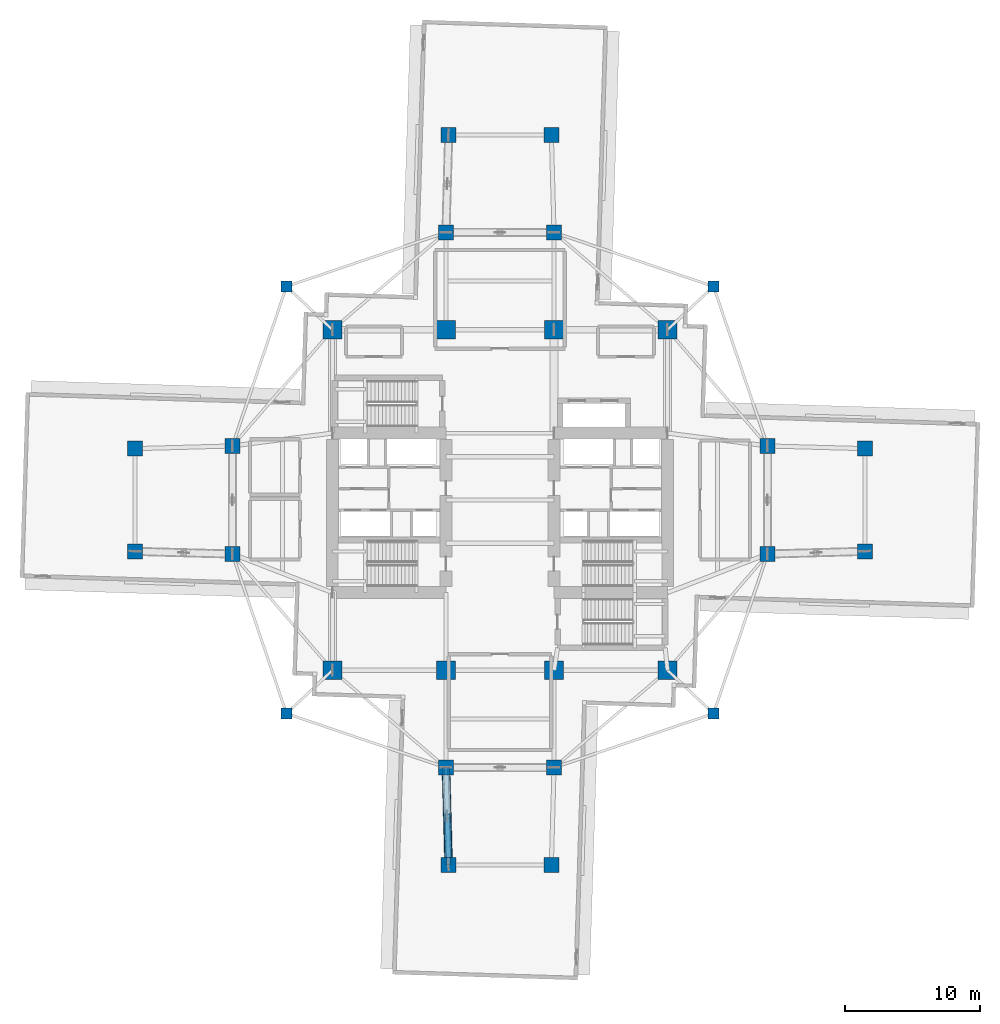
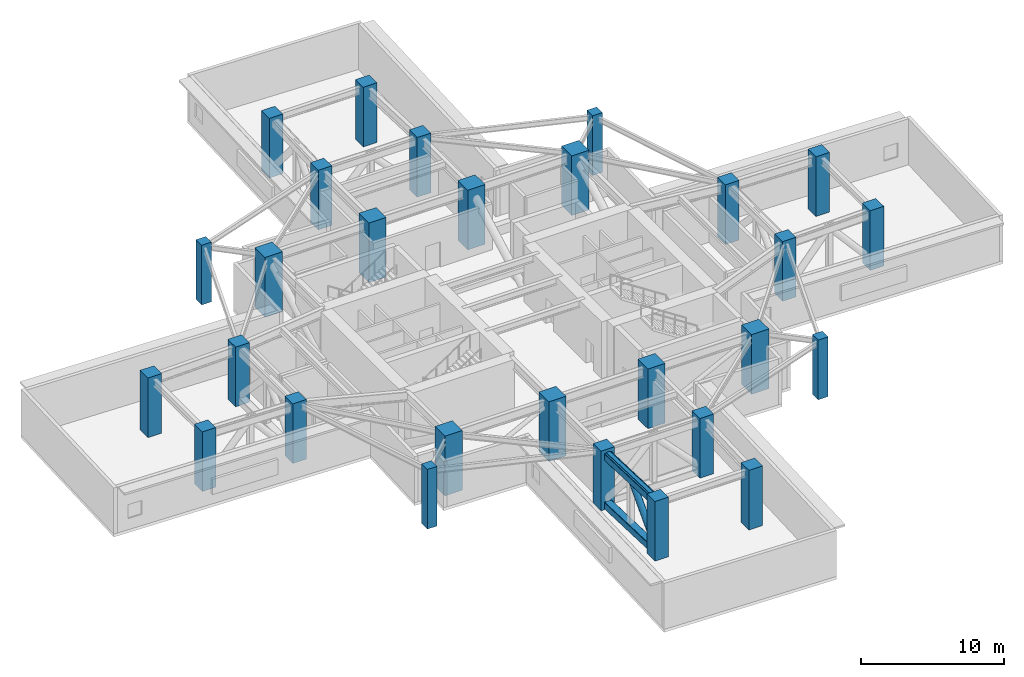
# One storey, part 1 of 17: 28 columns, 3 members, 1 beam.
"""IFC4 building model written with IfcOpenShell, lengths in metres."""

from ifc_helpers import new_model, si_unit, direction, frame, origin, origin_2d, place, context, subcontext, project, spatial, rectangle, hollow_rectangle, hollow_circle, i_section, extrude, material, material_profile, profile_set, type_object, element, save


model = new_model("IFC4")

# Units and contexts
model_context = context("Model", 3, precision=1e-05, world=origin(), true_north=direction((0.0, 1.0)))
body_context = subcontext(model_context, "Body", "Model", "MODEL_VIEW")
ifc_project = project(units=[si_unit("LENGTHUNIT", "METRE"), si_unit("AREAUNIT", "SQUARE_METRE"), si_unit("VOLUMEUNIT", "CUBIC_METRE"), si_unit("PLANEANGLEUNIT", "RADIAN"), si_unit("MASSUNIT", "GRAM", prefix="KILO")], contexts=[model_context])

# Site, building, storey
site_placement = place(None, origin())
site = spatial("IfcSite", under=ifc_project, at=site_placement, CompositionType="ELEMENT")
building_placement = place(site_placement, origin())
building = spatial("IfcBuilding", under=site, at=building_placement, Name="Qingluan Cross Belvedere", CompositionType="ELEMENT")
storey_placement = place(building_placement, frame((0.0, 0.0, 95.10009765625)))
storey = spatial("IfcBuildingStorey", under=building, at=storey_placement, Name="L24", CompositionType="ELEMENT", Elevation=95.10009765625)

# Columns
ifc_material_1 = material(Name="Concrete C60", Category="concrete")
ifc_material_profile_1 = material_profile(ifc_material_1, rectangle(XDim=1.10009765625, YDim=1.10009765625, at=origin_2d()), Name="RC1100x1100")
ifc_profile_set_1 = profile_set([ifc_material_profile_1], Name="Concrete C60")
column_type_1 = type_object("IfcColumnType", Name="Column_RC1100x1100", PredefinedType="COLUMN", material=ifc_profile_set_1)
for number, where, z_axis, x_axis, name in (
    (1, (19.800048828125, -4.0, 0.0), (0.0, 0.0, 1.0), (1.0, 0.0, 0.0), "Arm column L24-EIA"),
    (2, (19.800048828125, 4.0, 0.0), (0.0, 0.0, 1.0), (1.0, 0.0, 0.0), "Arm column L24-EIB"),
    (3, (-19.800048828125, -4.0, 0.0), (0.0, 0.0, 1.0), (1.0, 0.0, 0.0), "Arm column L24-WIA"),
    (4, (-19.800048828125, 4.0, 0.0), (0.0, 0.0, 1.0), (1.0, 0.0, 0.0), "Arm column L24-WIB"),
    (5, (-4.0, -19.800048828125, 0.0), (0.0, 0.0, 1.0), (1.0, 0.0, 0.0), "Arm column L24-SIA"),
    (6, (4.0, -19.800048828125, 0.0), (0.0, 0.0, 1.0), (1.0, 0.0, 0.0), "Arm column L24-SIB"),
    (7, (-4.0, 19.800048828125, 0.0), (0.0, 0.0, 1.0), (1.0, 0.0, 0.0), "Arm column L24-NIA"),
    (8, (4.0, 19.800048828125, 0.0), (0.0, 0.0, 1.0), (1.0, 0.0, 0.0), "Arm column L24-NIB"),
    (9, (27.0, -3.800048828125, 0.0), (0.0, 0.0, 1.0), (1.0, 0.0, 0.0), "Arm column L24-EOA"),
    (10, (27.0, 3.800048828125, 0.0), (0.0, 0.0, 1.0), (1.0, 0.0, 0.0), "Arm column L24-EOB"),
    (11, (-27.0, -3.800048828125, 0.0), (0.0, 0.0, 1.0), (1.0, 0.0, 0.0), "Arm column L24-WOA"),
    (12, (-27.0, 3.800048828125, 0.0), (0.0, 0.0, 1.0), (1.0, 0.0, 0.0), "Arm column L24-WOB"),
    (13, (-3.800048828125, -27.0, 0.0), (0.0, 0.0, 1.0), (1.0, 0.0, 0.0), "Arm column L24-SOA"),
    (14, (3.800048828125, -27.0, 0.0), (0.0, 0.0, 1.0), (1.0, 0.0, 0.0), "Arm column L24-SOB"),
    (15, (-3.800048828125, 27.0, 0.0), (0.0, 0.0, 1.0), (1.0, 0.0, 0.0), "Arm column L24-NOA"),
    (16, (3.800048828125, 27.0, 0.0), (0.0, 0.0, 1.0), (1.0, 0.0, 0.0), "Arm column L24-NOB"),
):
    element("IfcColumn", number, at=place(storey_placement, frame(where, z_axis=z_axis, x_axis=x_axis)), inside=storey, type_object=column_type_1, Name=name, PredefinedType="COLUMN", context=body_context, shape_type="SweptSolid", body=[
        extrude(rectangle(XDim=1.10009765625, YDim=1.10009765625, at=origin_2d()), origin(), (0.0, 0.0, 1.0), 5.099853515625),
    ])
ifc_material_2 = material(Name="Concrete C70", Category="concrete")
ifc_material_profile_2 = material_profile(ifc_material_2, rectangle(XDim=1.39990234375, YDim=1.39990234375, at=origin_2d()), Name="RC1400x1400")
ifc_profile_set_2 = profile_set([ifc_material_profile_2], Name="Concrete C70")
column_type_2 = type_object("IfcColumnType", Name="Column_RC1400x1400", PredefinedType="COLUMN", material=ifc_profile_set_2)
for number, where, z_axis, x_axis, name in (
    (17, (-12.39990234375, -12.60009765625, 0.0), (0.0, 0.0, 1.0), (1.0, 0.0, 0.0), "Hub column L24-HC1"),
    (18, (12.39990234375, -12.60009765625, 0.0), (0.0, 0.0, 1.0), (1.0, 0.0, 0.0), "Hub column L24-HC2"),
    (19, (12.39990234375, 12.60009765625, 0.0), (0.0, 0.0, 1.0), (1.0, 0.0, 0.0), "Hub column L24-HC3"),
    (20, (-12.39990234375, 12.60009765625, 0.0), (0.0, 0.0, 1.0), (1.0, 0.0, 0.0), "Hub column L24-HC4"),
    (21, (-4.0, -12.60009765625, 0.0), (0.0, 0.0, 1.0), (1.0, 0.0, 0.0), "Hub column L24-HC5"),
    (22, (4.0, -12.60009765625, 0.0), (0.0, 0.0, 1.0), (1.0, 0.0, 0.0), "Hub column L24-HC6"),
    (23, (4.0, 12.60009765625, 0.0), (0.0, 0.0, 1.0), (1.0, 0.0, 0.0), "Hub column L24-HC7"),
    (24, (-4.0, 12.60009765625, 0.0), (0.0, 0.0, 1.0), (1.0, 0.0, 0.0), "Hub column L24-HC8"),
):
    element("IfcColumn", number, at=place(storey_placement, frame(where, z_axis=z_axis, x_axis=x_axis)), inside=storey, type_object=column_type_2, Name=name, PredefinedType="COLUMN", context=body_context, shape_type="SweptSolid", body=[
        extrude(rectangle(XDim=1.39990234375, YDim=1.39990234375, at=origin_2d()), origin(), (0.0, 0.0, 1.0), 5.099853515625),
    ])
ifc_material_3 = material(Name="Concrete C50", Category="concrete")
ifc_material_profile_3 = material_profile(ifc_material_3, rectangle(XDim=0.800048828125, YDim=0.800048828125, at=origin_2d()), Name="RC800x800")
ifc_profile_set_3 = profile_set([ifc_material_profile_3], Name="Concrete C50")
column_type_3 = type_object("IfcColumnType", Name="Column_RC800x800", PredefinedType="COLUMN", material=ifc_profile_set_3)
for number, where, z_axis, x_axis, name in (
    (25, (15.800048828125, 15.800048828125, 0.0), (0.0, 0.0, 1.0), (1.0, 0.0, 0.0), "Corner column L24-RNE"),
    (26, (-15.800048828125, 15.800048828125, 0.0), (0.0, 0.0, 1.0), (1.0, 0.0, 0.0), "Corner column L24-RNW"),
    (27, (-15.800048828125, -15.800048828125, 0.0), (0.0, 0.0, 1.0), (1.0, 0.0, 0.0), "Corner column L24-RSW"),
    (28, (15.800048828125, -15.800048828125, 0.0), (0.0, 0.0, 1.0), (1.0, 0.0, 0.0), "Corner column L24-RSE"),
):
    element("IfcColumn", number, at=place(storey_placement, frame(where, z_axis=z_axis, x_axis=x_axis)), inside=storey, type_object=column_type_3, Name=name, PredefinedType="COLUMN", context=body_context, shape_type="SweptSolid", body=[
        extrude(rectangle(XDim=0.800048828125, YDim=0.800048828125, at=origin_2d()), origin(), (0.0, 0.0, 1.0), 5.099853515625),
    ])

# Members
ifc_material_4 = material(Name="Steel Q420GJB", Category="steel")
ifc_material_profile_4 = material_profile(ifc_material_4, hollow_circle(Radius=0.25390625, WallThickness=0.02197265625, at=origin_2d()), Name="CHS508x22")
ifc_profile_set_4 = profile_set([ifc_material_profile_4], Name="Steel Q420GJB")
member_type_1 = type_object("IfcMemberType", Name="SteelMember_BRACE_CHS508x22", PredefinedType="BRACE", material=ifc_profile_set_4)
member_placement = place(storey_placement, frame((-3.800048828125, -27.0, 0.349853515625), z_axis=(-0.018171895558, 0.655165701478, 0.755266632268), x_axis=(-0.999615569646, -0.027725672588, 0.0)))
element("IfcMember", 29, at=member_placement, inside=storey, type_object=member_type_1, Name="Belt truss diagonal B L24-SS", PredefinedType="BRACE", context=body_context, shape_type="SweptSolid", body=[
    extrude(hollow_circle(Radius=0.25390625, WallThickness=0.02197265625, at=origin_2d()), origin(), (0.0, 0.0, 1.0), 5.494873046875),
])
ifc_material_5 = material(Name="Steel Q420GJB", Category="steel")
ifc_material_profile_5 = material_profile(ifc_material_5, hollow_rectangle(XDim=0.60009765625, YDim=0.60009765625, WallThickness=0.028076171875, InnerFilletRadius=0.028076171875, OuterFilletRadius=0.055908203125, at=origin_2d()), Name="RHS600x600x28")
ifc_profile_set_5 = profile_set([ifc_material_profile_5], Name="Steel Q420GJB")
member_type_2 = type_object("IfcMemberType", Name="SteelMember_CHORD_RHS600x600x28", PredefinedType="CHORD", material=ifc_profile_set_5)
for number, where, z_axis, x_axis, name in (
    (30, (-4.0, -19.800048828125, 0.349853515625), (0.027760481514, -0.999614603568, 0.0), (0.999614603568, 0.027760481514, 0.0), "Belt truss bottom chord L24-SS"),
    (31, (-4.0, -19.800048828125, 4.5), (0.027760481514, -0.999614603568, 0.0), (0.999614603568, 0.027760481514, 0.0), "Belt truss top chord L24-SS"),
):
    element("IfcMember", number, at=place(storey_placement, frame(where, z_axis=z_axis, x_axis=x_axis)), inside=storey, type_object=member_type_2, Name=name, PredefinedType="CHORD", context=body_context, shape_type="SweptSolid", body=[
        extrude(hollow_rectangle(XDim=0.60009765625, YDim=0.60009765625, WallThickness=0.028076171875, InnerFilletRadius=0.028076171875, OuterFilletRadius=0.055908203125, at=origin_2d()), origin(), (0.0, 0.0, 1.0), 7.20263671875),
    ])

# Beam
ifc_material_6 = material(Name="Steel Q420GJB", Category="steel")
ifc_material_profile_6 = material_profile(ifc_material_6, i_section(OverallWidth=0.305908203125, OverallDepth=0.81396484375, WebThickness=0.02099609375, FlangeThickness=0.0400390625, FilletRadius=0.030029296875, at=origin_2d()), Name="HEM800")
ifc_profile_set_6 = profile_set([ifc_material_profile_6], Name="Steel Q420GJB")
beam_type = type_object("IfcBeamType", Name="Steel_Girder_HEM800", PredefinedType="USERDEFINED", material=ifc_profile_set_6)
beam_placement = place(storey_placement, frame((-4.0, -19.800048828125, 4.44287109375), z_axis=(0.027760481514, -0.999614603568, 0.0), x_axis=(0.999614603568, 0.027760481514, 0.0)))
element("IfcBeam", 32, at=beam_placement, inside=storey, type_object=beam_type, Name="Arm S outer radial girder A L24", ObjectType="GIRDER", PredefinedType="USERDEFINED", context=body_context, shape_type="SweptSolid", body=[
    extrude(i_section(OverallWidth=0.305908203125, OverallDepth=0.81396484375, WebThickness=0.02099609375, FlangeThickness=0.0400390625, FilletRadius=0.030029296875, at=origin_2d()), origin(), (0.0, 0.0, 1.0), 7.20263671875),
])

save(model, "model.ifc")
